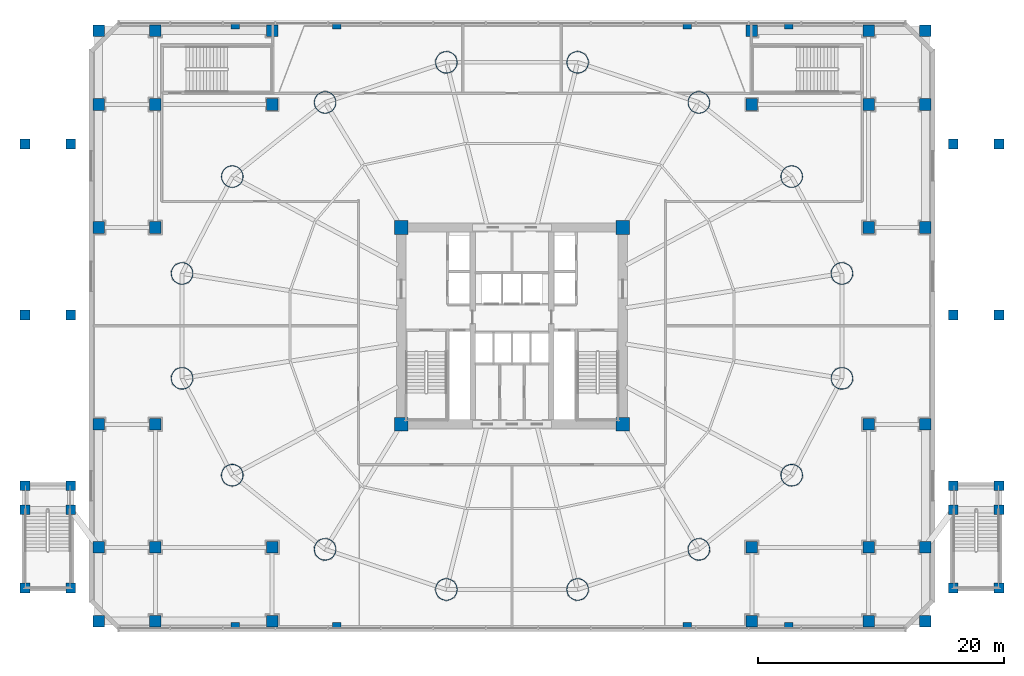
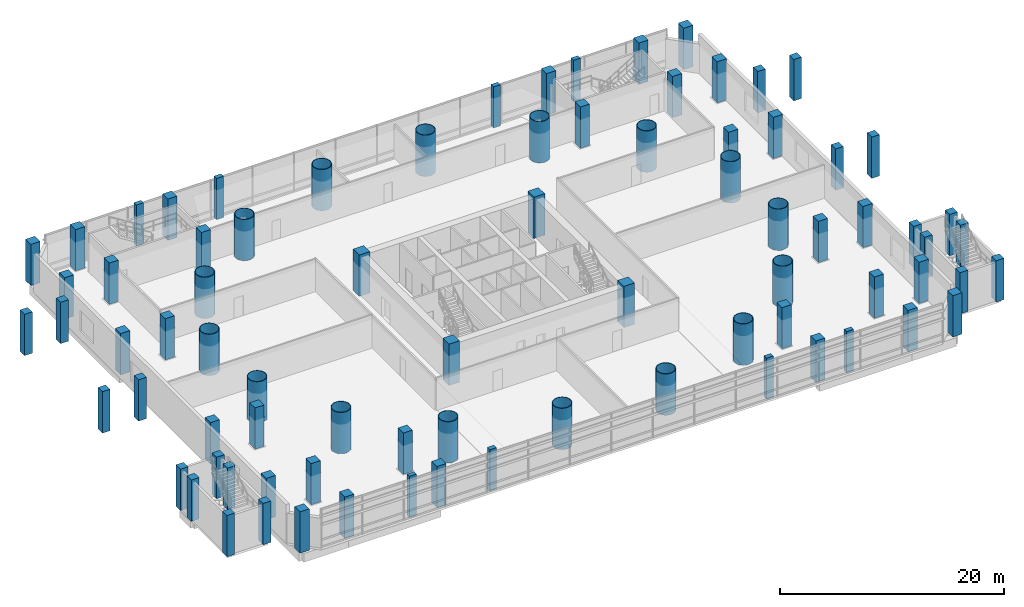
# One storey, part 1 of 36: 80 columns.
"""IFC4 building model written with IfcOpenShell, lengths in metres."""

from ifc_helpers import new_model, si_unit, direction, frame, origin, origin_2d, place, context, subcontext, project, spatial, rectangle, hollow_circle, extrude, material, material_profile, profile_set, type_object, element, save


model = new_model("IFC4")

# Units and contexts
model_context = context("Model", 3, precision=1e-05, world=origin(), true_north=direction((-0.2419218956, 0.970295726276)))
body_context = subcontext(model_context, "Body", "Model", "MODEL_VIEW")
ifc_project = project(units=[si_unit("LENGTHUNIT", "METRE"), si_unit("AREAUNIT", "SQUARE_METRE"), si_unit("VOLUMEUNIT", "CUBIC_METRE"), si_unit("PLANEANGLEUNIT", "RADIAN"), si_unit("MASSUNIT", "GRAM", prefix="KILO")], contexts=[model_context])

# Site, building, storey
site_placement = place(None, origin())
site = spatial("IfcSite", under=ifc_project, at=site_placement, CompositionType="ELEMENT")
building_placement = place(site_placement, origin())
building = spatial("IfcBuilding", under=site, at=building_placement, Name="Cobrevalo Terracotta Tower", CompositionType="ELEMENT")
storey_placement = place(building_placement, frame((0.0, 0.0, 9.89990234375)))
storey = spatial("IfcBuildingStorey", under=building, at=storey_placement, Name="L02", CompositionType="ELEMENT", Elevation=9.89990234375)

# Columns
ifc_material_1 = material(Name="Steel S355", Category="steel")
ifc_material_profile_1 = material_profile(ifc_material_1, hollow_circle(Radius=0.89990234375, WallThickness=0.054931640625, at=origin_2d()), Name="CHS 1800x55")
ifc_profile_set_1 = profile_set([ifc_material_profile_1], Name="Steel S355")
column_type_1 = type_object("IfcColumnType", Name="Structural Column CHS 1800x55 (Steel S355)", PredefinedType="COLUMN", material=ifc_profile_set_1)
for number, where, z_axis, x_axis, name in (
    (1, (64.824462890625, 31.062744140625, 0.0), (0.0, 0.0, 1.0), (1.0, 0.0, 0.0), "L02 composite megacolumn MC01"),
    (2, (60.74072265625, 38.939208984375, 0.0), (0.0, 0.0, 1.0), (1.0, 0.0, 0.0), "L02 composite megacolumn MC02"),
    (3, (53.19482421875, 44.967529296875, 0.0), (0.0, 0.0, 1.0), (1.0, 0.0, 0.0), "L02 composite megacolumn MC03"),
    (4, (43.335693359375, 48.230224609375, 0.0), (0.0, 0.0, 1.0), (1.0, 0.0, 0.0), "L02 composite megacolumn MC04"),
    (5, (32.664306640625, 48.230224609375, 0.0), (0.0, 0.0, 1.0), (1.0, 0.0, 0.0), "L02 composite megacolumn MC05"),
    (6, (22.80517578125, 44.967529296875, 0.0), (0.0, 0.0, 1.0), (1.0, 0.0, 0.0), "L02 composite megacolumn MC06"),
    (7, (15.25927734375, 38.939208984375, 0.0), (0.0, 0.0, 1.0), (1.0, 0.0, 0.0), "L02 composite megacolumn MC07"),
    (8, (11.175537109375, 31.062744140625, 0.0), (0.0, 0.0, 1.0), (1.0, 0.0, 0.0), "L02 composite megacolumn MC08"),
    (9, (11.175537109375, 22.537353515625, 0.0), (0.0, 0.0, 1.0), (1.0, 0.0, 0.0), "L02 composite megacolumn MC09"),
    (10, (15.25927734375, 14.660888671875, 0.0), (0.0, 0.0, 1.0), (1.0, 0.0, 0.0), "L02 composite megacolumn MC10"),
    (11, (22.80517578125, 8.63232421875, 0.0), (0.0, 0.0, 1.0), (1.0, 0.0, 0.0), "L02 composite megacolumn MC11"),
    (12, (32.664306640625, 5.369873046875, 0.0), (0.0, 0.0, 1.0), (1.0, 0.0, 0.0), "L02 composite megacolumn MC12"),
    (13, (43.335693359375, 5.369873046875, 0.0), (0.0, 0.0, 1.0), (1.0, 0.0, 0.0), "L02 composite megacolumn MC13"),
    (14, (53.19482421875, 8.63232421875, 0.0), (0.0, 0.0, 1.0), (1.0, 0.0, 0.0), "L02 composite megacolumn MC14"),
    (15, (60.74072265625, 14.660888671875, 0.0), (0.0, 0.0, 1.0), (1.0, 0.0, 0.0), "L02 composite megacolumn MC15"),
    (16, (64.824462890625, 22.537353515625, 0.0), (0.0, 0.0, 1.0), (1.0, 0.0, 0.0), "L02 composite megacolumn MC16"),
):
    element("IfcColumn", number, at=place(storey_placement, frame(where, z_axis=z_axis, x_axis=x_axis)), inside=storey, type_object=column_type_1, Name=name, PredefinedType="COLUMN", context=body_context, shape_type="SweptSolid", body=[
        extrude(hollow_circle(Radius=0.89990234375, WallThickness=0.054931640625, at=origin_2d()), origin(), (0.0, 0.0, 1.0), 4.5),
    ])
ifc_material_2 = material(Name="Concrete C60", Category="concrete")
ifc_material_profile_2 = material_profile(ifc_material_2, rectangle(XDim=1.10009765625, YDim=1.10009765625, at=origin_2d()), Name="RC COL 1100x1100")
ifc_profile_set_2 = profile_set([ifc_material_profile_2], Name="Concrete C60")
column_type_2 = type_object("IfcColumnType", Name="Structural Column RC COL 1100x1100 (Concrete C60)", PredefinedType="COLUMN", material=ifc_profile_set_2)
for number, where, z_axis, x_axis, name in (
    (17, (29.0, 18.800048828125, 0.0), (0.0, 0.0, 1.0), (1.0, 0.0, 0.0), "L02 core corner column CC1"),
    (18, (47.0, 18.800048828125, 0.0), (0.0, 0.0, 1.0), (1.0, 0.0, 0.0), "L02 core corner column CC2"),
    (19, (47.0, 34.800048828125, 0.0), (0.0, 0.0, 1.0), (1.0, 0.0, 0.0), "L02 core corner column CC3"),
    (20, (29.0, 34.800048828125, 0.0), (0.0, 0.0, 1.0), (1.0, 0.0, 0.0), "L02 core corner column CC4"),
):
    element("IfcColumn", number, at=place(storey_placement, frame(where, z_axis=z_axis, x_axis=x_axis)), inside=storey, type_object=column_type_2, Name=name, PredefinedType="COLUMN", context=body_context, shape_type="SweptSolid", body=[
        extrude(rectangle(XDim=1.10009765625, YDim=1.10009765625, at=origin_2d()), origin(), (0.0, 0.0, 1.0), 4.5),
    ])
ifc_material_3 = material(Name="Concrete C50", Category="concrete")
ifc_material_profile_3 = material_profile(ifc_material_3, rectangle(XDim=0.800048828125, YDim=0.800048828125, at=origin_2d()), Name="RC COL 800x800")
ifc_profile_set_3 = profile_set([ifc_material_profile_3], Name="Concrete C50")
column_type_3 = type_object("IfcColumnType", Name="Structural Column RC COL 800x800 (Concrete C50)", PredefinedType="COLUMN", material=ifc_profile_set_3)
for number, where, z_axis, x_axis, name in (
    (21, (-1.60009765625, 5.5, 0.0), (0.0, 0.0, 1.0), (1.0, 0.0, 0.0), "L02 garden wing column W11"),
    (22, (2.1201171875, 5.5, 0.0), (0.0, 0.0, 1.0), (1.0, 0.0, 0.0), "L02 garden wing column W21"),
    (23, (-1.60009765625, 11.85009765625, 0.0), (0.0, 0.0, 1.0), (1.0, 0.0, 0.0), "L02 garden wing column W12"),
    (24, (2.1201171875, 11.85009765625, 0.0), (0.0, 0.0, 1.0), (1.0, 0.0, 0.0), "L02 garden wing column W22"),
    (25, (-1.60009765625, 13.800048828125, 0.0), (0.0, 0.0, 1.0), (1.0, 0.0, 0.0), "L02 garden wing column W13"),
    (26, (2.1201171875, 13.800048828125, 0.0), (0.0, 0.0, 1.0), (1.0, 0.0, 0.0), "L02 garden wing column W23"),
    (27, (-1.60009765625, 27.699951171875, 0.0), (0.0, 0.0, 1.0), (1.0, 0.0, 0.0), "L02 garden wing column W14"),
    (28, (2.1201171875, 27.699951171875, 0.0), (0.0, 0.0, 1.0), (1.0, 0.0, 0.0), "L02 garden wing column W24"),
    (29, (-1.60009765625, 41.60009765625, 0.0), (0.0, 0.0, 1.0), (1.0, 0.0, 0.0), "L02 garden wing column W15"),
    (30, (2.1201171875, 41.60009765625, 0.0), (0.0, 0.0, 1.0), (1.0, 0.0, 0.0), "L02 garden wing column W25"),
    (31, (73.8798828125, 5.5, 0.0), (0.0, 0.0, 1.0), (1.0, 0.0, 0.0), "L02 garden wing column E11"),
    (32, (77.60009765625, 5.5, 0.0), (0.0, 0.0, 1.0), (1.0, 0.0, 0.0), "L02 garden wing column E21"),
    (33, (73.8798828125, 11.85009765625, 0.0), (0.0, 0.0, 1.0), (1.0, 0.0, 0.0), "L02 garden wing column E12"),
    (34, (77.60009765625, 11.85009765625, 0.0), (0.0, 0.0, 1.0), (1.0, 0.0, 0.0), "L02 garden wing column E22"),
    (35, (73.8798828125, 13.800048828125, 0.0), (0.0, 0.0, 1.0), (1.0, 0.0, 0.0), "L02 garden wing column E13"),
    (36, (77.60009765625, 13.800048828125, 0.0), (0.0, 0.0, 1.0), (1.0, 0.0, 0.0), "L02 garden wing column E23"),
    (37, (73.8798828125, 27.699951171875, 0.0), (0.0, 0.0, 1.0), (1.0, 0.0, 0.0), "L02 garden wing column E14"),
    (38, (77.60009765625, 27.699951171875, 0.0), (0.0, 0.0, 1.0), (1.0, 0.0, 0.0), "L02 garden wing column E24"),
    (39, (73.8798828125, 41.60009765625, 0.0), (0.0, 0.0, 1.0), (1.0, 0.0, 0.0), "L02 garden wing column E15"),
    (40, (77.60009765625, 41.60009765625, 0.0), (0.0, 0.0, 1.0), (1.0, 0.0, 0.0), "L02 garden wing column E25"),
):
    element("IfcColumn", number, at=place(storey_placement, frame(where, z_axis=z_axis, x_axis=x_axis)), inside=storey, type_object=column_type_3, Name=name, PredefinedType="COLUMN", context=body_context, shape_type="SweptSolid", body=[
        extrude(rectangle(XDim=0.800048828125, YDim=0.800048828125, at=origin_2d()), origin(), (0.0, 0.0, 1.0), 4.5),
    ])
ifc_material_4 = material(Name="Concrete C55", Category="concrete")
ifc_material_profile_4 = material_profile(ifc_material_4, rectangle(XDim=0.949951171875, YDim=0.949951171875, at=origin_2d()), Name="RC COL 950x950")
ifc_profile_set_4 = profile_set([ifc_material_profile_4], Name="Concrete C55")
column_type_4 = type_object("IfcColumnType", Name="Structural Column RC COL 950x950 (Concrete C55)", PredefinedType="COLUMN", material=ifc_profile_set_4)
for number, where, z_axis, x_axis, name in (
    (41, (4.39990234375, 2.800048828125, 0.0), (0.0, 0.0, 1.0), (1.0, 0.0, 0.0), "L02 podium column G1-GA"),
    (42, (4.39990234375, 8.800048828125, 0.0), (0.0, 0.0, 1.0), (1.0, 0.0, 0.0), "L02 podium column G1-GB"),
    (43, (4.39990234375, 18.800048828125, 0.0), (0.0, 0.0, 1.0), (1.0, 0.0, 0.0), "L02 podium column G1-GC"),
    (44, (4.39990234375, 34.800048828125, 0.0), (0.0, 0.0, 1.0), (1.0, 0.0, 0.0), "L02 podium column G1-GE"),
    (45, (4.39990234375, 44.800048828125, 0.0), (0.0, 0.0, 1.0), (1.0, 0.0, 0.0), "L02 podium column G1-GF"),
    (46, (4.39990234375, 50.800048828125, 0.0), (0.0, 0.0, 1.0), (1.0, 0.0, 0.0), "L02 podium column G1-GG"),
    (47, (9.0, 2.800048828125, 0.0), (0.0, 0.0, 1.0), (1.0, 0.0, 0.0), "L02 podium column G2-GA"),
    (48, (9.0, 8.800048828125, 0.0), (0.0, 0.0, 1.0), (1.0, 0.0, 0.0), "L02 podium column G2-GB"),
    (49, (9.0, 18.800048828125, 0.0), (0.0, 0.0, 1.0), (1.0, 0.0, 0.0), "L02 podium column G2-GC"),
    (50, (9.0, 34.800048828125, 0.0), (0.0, 0.0, 1.0), (1.0, 0.0, 0.0), "L02 podium column G2-GE"),
    (51, (9.0, 44.800048828125, 0.0), (0.0, 0.0, 1.0), (1.0, 0.0, 0.0), "L02 podium column G2-GF"),
    (52, (9.0, 50.800048828125, 0.0), (0.0, 0.0, 1.0), (1.0, 0.0, 0.0), "L02 podium column G2-GG"),
    (53, (18.5, 2.800048828125, 0.0), (0.0, 0.0, 1.0), (1.0, 0.0, 0.0), "L02 podium column G3-GA"),
    (54, (18.5, 8.800048828125, 0.0), (0.0, 0.0, 1.0), (1.0, 0.0, 0.0), "L02 podium column G3-GB"),
    (55, (18.5, 44.800048828125, 0.0), (0.0, 0.0, 1.0), (1.0, 0.0, 0.0), "L02 podium column G3-GF"),
    (56, (18.5, 50.800048828125, 0.0), (0.0, 0.0, 1.0), (1.0, 0.0, 0.0), "L02 podium column G3-GG"),
    (57, (57.5, 2.800048828125, 0.0), (0.0, 0.0, 1.0), (1.0, 0.0, 0.0), "L02 podium column G7-GA"),
    (58, (57.5, 8.800048828125, 0.0), (0.0, 0.0, 1.0), (1.0, 0.0, 0.0), "L02 podium column G7-GB"),
    (59, (57.5, 44.800048828125, 0.0), (0.0, 0.0, 1.0), (1.0, 0.0, 0.0), "L02 podium column G7-GF"),
    (60, (57.5, 50.800048828125, 0.0), (0.0, 0.0, 1.0), (1.0, 0.0, 0.0), "L02 podium column G7-GG"),
    (61, (67.0, 2.800048828125, 0.0), (0.0, 0.0, 1.0), (1.0, 0.0, 0.0), "L02 podium column G8-GA"),
    (62, (67.0, 8.800048828125, 0.0), (0.0, 0.0, 1.0), (1.0, 0.0, 0.0), "L02 podium column G8-GB"),
    (63, (67.0, 18.800048828125, 0.0), (0.0, 0.0, 1.0), (1.0, 0.0, 0.0), "L02 podium column G8-GC"),
    (64, (67.0, 34.800048828125, 0.0), (0.0, 0.0, 1.0), (1.0, 0.0, 0.0), "L02 podium column G8-GE"),
    (65, (67.0, 44.800048828125, 0.0), (0.0, 0.0, 1.0), (1.0, 0.0, 0.0), "L02 podium column G8-GF"),
    (66, (67.0, 50.800048828125, 0.0), (0.0, 0.0, 1.0), (1.0, 0.0, 0.0), "L02 podium column G8-GG"),
    (67, (71.60009765625, 2.800048828125, 0.0), (0.0, 0.0, 1.0), (1.0, 0.0, 0.0), "L02 podium column G9-GA"),
    (68, (71.60009765625, 8.800048828125, 0.0), (0.0, 0.0, 1.0), (1.0, 0.0, 0.0), "L02 podium column G9-GB"),
    (69, (71.60009765625, 18.800048828125, 0.0), (0.0, 0.0, 1.0), (1.0, 0.0, 0.0), "L02 podium column G9-GC"),
    (70, (71.60009765625, 34.800048828125, 0.0), (0.0, 0.0, 1.0), (1.0, 0.0, 0.0), "L02 podium column G9-GE"),
    (71, (71.60009765625, 44.800048828125, 0.0), (0.0, 0.0, 1.0), (1.0, 0.0, 0.0), "L02 podium column G9-GF"),
    (72, (71.60009765625, 50.800048828125, 0.0), (0.0, 0.0, 1.0), (1.0, 0.0, 0.0), "L02 podium column G9-GG"),
):
    element("IfcColumn", number, at=place(storey_placement, frame(where, z_axis=z_axis, x_axis=x_axis)), inside=storey, type_object=column_type_4, Name=name, PredefinedType="COLUMN", context=body_context, shape_type="SweptSolid", body=[
        extrude(rectangle(XDim=0.949951171875, YDim=0.949951171875, at=origin_2d()), origin(), (0.0, 0.0, 1.0), 4.5),
    ])
ifc_material_profile_5 = material_profile(ifc_material_3, rectangle(XDim=0.699951171875, YDim=0.449951171875, at=origin_2d()), Name="RC PIL 700x450")
ifc_profile_set_5 = profile_set([ifc_material_profile_5], Name="Concrete C50")
column_type_5 = type_object("IfcColumnType", Name="Structural Pilaster RC PIL 700x450 (Concrete C50)", PredefinedType="PILASTER", material=ifc_profile_set_5)
for number, where, z_axis, x_axis, name in (
    (73, (15.5, 2.449951171875, 0.0), (0.0, 0.0, 1.0), (1.0, 0.0, 0.0), "L02 brutalist perimeter pilaster S1"),
    (74, (15.5, 51.14990234375, 0.0), (0.0, 0.0, 1.0), (1.0, 0.0, 0.0), "L02 brutalist perimeter pilaster N1"),
    (75, (23.75, 2.449951171875, 0.0), (0.0, 0.0, 1.0), (1.0, 0.0, 0.0), "L02 brutalist perimeter pilaster S2"),
    (76, (23.75, 51.14990234375, 0.0), (0.0, 0.0, 1.0), (1.0, 0.0, 0.0), "L02 brutalist perimeter pilaster N2"),
    (77, (52.25, 2.449951171875, 0.0), (0.0, 0.0, 1.0), (1.0, 0.0, 0.0), "L02 brutalist perimeter pilaster S3"),
    (78, (52.25, 51.14990234375, 0.0), (0.0, 0.0, 1.0), (1.0, 0.0, 0.0), "L02 brutalist perimeter pilaster N3"),
    (79, (60.5, 2.449951171875, 0.0), (0.0, 0.0, 1.0), (1.0, 0.0, 0.0), "L02 brutalist perimeter pilaster S4"),
    (80, (60.5, 51.14990234375, 0.0), (0.0, 0.0, 1.0), (1.0, 0.0, 0.0), "L02 brutalist perimeter pilaster N4"),
):
    element("IfcColumn", number, at=place(storey_placement, frame(where, z_axis=z_axis, x_axis=x_axis)), inside=storey, type_object=column_type_5, Name=name, PredefinedType="PILASTER", context=body_context, shape_type="SweptSolid", body=[
        extrude(rectangle(XDim=0.699951171875, YDim=0.449951171875, at=origin_2d()), origin(), (0.0, 0.0, 1.0), 4.5),
    ])

save(model, "model.ifc")
